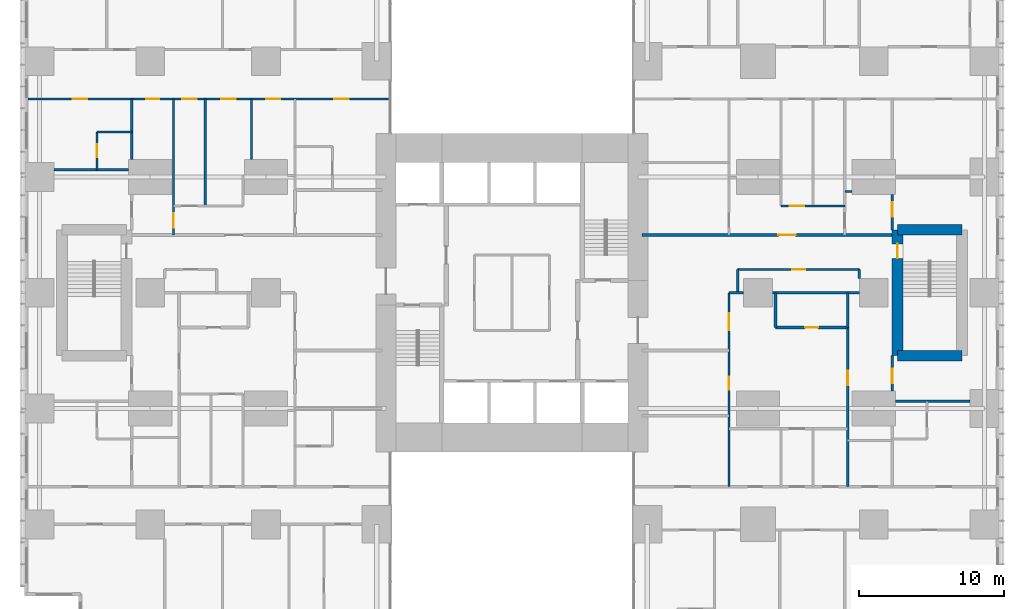
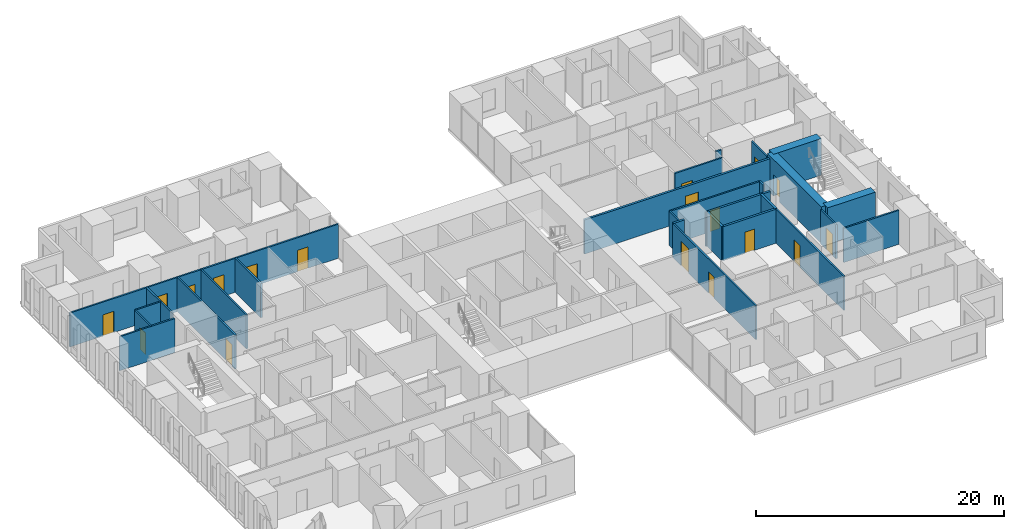
# One storey, part 16 of 20: 27 walls, 18 doors, 18 openings.
"""IFC4 building model written with IfcOpenShell, lengths in metres."""

from ifc_helpers import new_model, si_unit, direction, frame, frame_2d, origin, place, context, subcontext, project, spatial, rectangle, extrude, material, layer, layer_set, type_object, element, fill, save


model = new_model("IFC4")

# Units and contexts
model_context = context("Model", 3, precision=1e-05, world=origin(), true_north=direction((0.0, 1.0)))
body_context = subcontext(model_context, "Body", "Model", "MODEL_VIEW")
ifc_project = project(units=[si_unit("LENGTHUNIT", "METRE"), si_unit("AREAUNIT", "SQUARE_METRE"), si_unit("VOLUMEUNIT", "CUBIC_METRE"), si_unit("PLANEANGLEUNIT", "RADIAN"), si_unit("MASSUNIT", "GRAM", prefix="KILO")], contexts=[model_context])

# Site, building, storey
site_placement = place(None, origin())
site = spatial("IfcSite", under=ifc_project, at=site_placement, CompositionType="ELEMENT")
building_placement = place(site_placement, origin())
building = spatial("IfcBuilding", under=site, at=building_placement, Name="Cleftline Residences", CompositionType="ELEMENT")
storey_placement = place(building_placement, frame((0.0, 0.0, 36.800048828125)))
storey = spatial("IfcBuildingStorey", under=building, at=storey_placement, Name="L08", CompositionType="ELEMENT", Elevation=36.800048828125)

# Wall, opening, door
ifc_material_1 = material(Name="Concrete blockwork, fire rated", Category="masonry")
ifc_layer_1 = layer(ifc_material_1, 0.199951171875)
ifc_layer_set_1 = layer_set([ifc_layer_1], Name="FIRE WALL 200")
wall_type_1 = type_object("IfcWallType", Name="FIRE WALL 200", PredefinedType="PARTITIONING", material=ifc_layer_set_1)
wall_1_placement = place(storey_placement, frame((51.199951171875, 21.60009765625, 0.0), z_axis=(0.0, 0.0, 1.0), x_axis=(1.0, 0.0, 0.0)))
wall_1 = element("IfcWall", 1, at=wall_1_placement, inside=storey, type_object=wall_type_1, Name="Fire separating wall", PredefinedType="PARTITIONING", context=body_context, shape_type="SweptSolid", body=[
    extrude(rectangle(XDim=5.0, YDim=0.199951171875, at=frame_2d((2.5, 0.0))), origin(), (0.0, 0.0, 1.0), 3.349853515625),
])
opening_1_placement = place(wall_1_placement, frame((2.050048828125, 0.0, 0.0)))
opening_1 = element("IfcOpeningElement", 2, at=opening_1_placement, cuts=wall_1, Name="Opening D1F30", PredefinedType="OPENING", context=body_context, shape_type="SweptSolid", body=[
    extrude(rectangle(XDim=0.89990234375, YDim=2.10009765625, at=frame_2d((0.449951171875, 1.050048828125))), frame((0.0, 0.10986328125, 0.0), z_axis=(0.0, -1.0, 0.0), x_axis=(1.0, 0.0, 0.0)), (0.0, 0.0, 1.0), 0.219970703125),
])
ifc_material_2 = material(Name="Timber veneer on solid core", Category="wood")
door_type_1 = type_object("IfcDoorType", Name="DOOR 900X2100 EI 30", OperationType="SINGLE_SWING_LEFT", PredefinedType="DOOR", material=ifc_material_2)
door_1_placement = place(opening_1_placement, origin())
door_1 = element("IfcDoor", 3, at=door_1_placement, inside=storey, type_object=door_type_1, Name="Door to cloakroom wc", OperationType="SINGLE_SWING_LEFT", OverallHeight=2.10009765625, OverallWidth=0.89990234375, PredefinedType="DOOR", context=body_context, shape_type="SweptSolid", body=[
    extrude(rectangle(XDim=0.89990234375, YDim=2.10009765625, at=frame_2d((0.449951171875, 1.050048828125))), frame((0.0, 0.02490234375, 0.0), z_axis=(0.0, -1.0, 0.0), x_axis=(1.0, 0.0, 0.0)), (0.0, 0.0, 1.0), 0.050048828125),
])
fill(opening_1, door_1)

# Walls
wall_2_placement = place(storey_placement, frame((48.0, 24.0, 0.0), z_axis=(0.0, 0.0, 1.0), x_axis=(1.0, 0.0, 0.0)))
element("IfcWall", 4, at=wall_2_placement, inside=storey, type_object=wall_type_1, Name="Fire separating wall", PredefinedType="PARTITIONING", context=body_context, shape_type="SweptSolid", body=[
    extrude(rectangle(XDim=1.0, YDim=0.199951171875, at=frame_2d((0.5, 0.0))), origin(), (0.0, 0.0, 1.0), 3.349853515625),
])
wall_3_placement = place(storey_placement, frame((51.0, 24.0, 0.0), z_axis=(0.0, 0.0, 1.0), x_axis=(1.0, 0.0, 0.0)))
element("IfcWall", 5, at=wall_3_placement, inside=storey, type_object=wall_type_1, Name="Fire separating wall", PredefinedType="PARTITIONING", context=body_context, shape_type="SweptSolid", body=[
    extrude(rectangle(XDim=6.0, YDim=0.199951171875, at=frame_2d((3.0, 0.0))), origin(), (0.0, 0.0, 1.0), 3.349853515625),
])

# Wall, opening, door
wall_4_placement = place(storey_placement, frame((42.0, 28.0, 0.0), z_axis=(0.0, 0.0, 1.0), x_axis=(1.0, 0.0, 0.0)))
wall_4 = element("IfcWall", 6, at=wall_4_placement, inside=storey, type_object=wall_type_1, Name="Fire separating wall", PredefinedType="PARTITIONING", context=body_context, shape_type="SweptSolid", body=[
    extrude(rectangle(XDim=17.27490234375, YDim=0.199951171875, at=frame_2d((8.637451171875, 0.0))), origin(), (0.0, 0.0, 1.0), 3.349853515625),
])
opening_2_placement = place(wall_4_placement, frame((9.39990234375, 0.0, 0.0)))
opening_2 = element("IfcOpeningElement", 7, at=opening_2_placement, cuts=wall_4, Name="Opening D4", PredefinedType="OPENING", context=body_context, shape_type="SweptSolid", body=[
    extrude(rectangle(XDim=1.199951171875, YDim=2.39990234375, at=frame_2d((0.60009765625, 1.199951171875))), frame((0.0, 0.10986328125, 0.0), z_axis=(0.0, -1.0, 0.0), x_axis=(1.0, 0.0, 0.0)), (0.0, 0.0, 1.0), 0.219970703125),
])
ifc_material_3 = material(Name="Timber veneer on solid core", Category="wood")
door_type_2 = type_object("IfcDoorType", Name="APARTMENT ENTRANCE DOOR 1200X2400", OperationType="SINGLE_SWING_RIGHT", PredefinedType="DOOR", material=ifc_material_3)
door_2_placement = place(opening_2_placement, origin())
door_2 = element("IfcDoor", 8, at=door_2_placement, inside=storey, type_object=door_type_2, Name="Door to residence entrance foyer", OperationType="SINGLE_SWING_LEFT", OverallHeight=2.39990234375, OverallWidth=1.199951171875, PredefinedType="DOOR", context=body_context, shape_type="SweptSolid", body=[
    extrude(rectangle(XDim=1.199951171875, YDim=2.39990234375, at=frame_2d((0.60009765625, 1.199951171875))), frame((0.0, 0.02490234375, 0.0), z_axis=(0.0, -1.0, 0.0), x_axis=(1.0, 0.0, 0.0)), (0.0, 0.0, 1.0), 0.050048828125),
])
fill(opening_2, door_2)

# Walls
for number, where, z_axis, x_axis, name in (
    (9, (51.199951171875, 21.60009765625, 0.0), (0.0, 0.0, 1.0), (0.0, 1.0, 0.0), "Fire separating wall"),
    (10, (56.199951171875, 21.60009765625, 0.0), (0.0, 0.0, 1.0), (0.0, 1.0, 0.0), "Fire separating wall"),
):
    element("IfcWall", number, at=place(storey_placement, frame(where, z_axis=z_axis, x_axis=x_axis)), inside=storey, type_object=wall_type_1, Name=name, PredefinedType="PARTITIONING", context=body_context, shape_type="SweptSolid", body=[
        extrude(rectangle(XDim=2.39990234375, YDim=0.199951171875, at=frame_2d((1.199951171875, 0.0))), origin(), (0.0, 0.0, 1.0), 3.349853515625),
    ])
ifc_material_4 = material(Name="Gypsum board on steel studs", Category="steel")
ifc_layer_2 = layer(ifc_material_4, 0.14990234375)
ifc_layer_set_2 = layer_set([ifc_layer_2], Name="PARTITION 150")
wall_type_2 = type_object("IfcWallType", Name="PARTITION 150", PredefinedType="PARTITIONING", material=ifc_layer_set_2)
wall_5_placement = place(storey_placement, frame((59.5, 16.5, 0.0), z_axis=(0.0, 0.0, 1.0), x_axis=(1.0, 0.0, 0.0)))
element("IfcWall", 11, at=wall_5_placement, inside=storey, type_object=wall_type_2, Name="Partition", PredefinedType="PARTITIONING", context=body_context, shape_type="SweptSolid", body=[
    extrude(rectangle(XDim=5.14990234375, YDim=0.14990234375, at=frame_2d((2.574951171875, 0.0))), origin(), (0.0, 0.0, 1.0), 3.349853515625),
])

# Wall, opening, door
wall_6_placement = place(storey_placement, frame((48.60009765625, 25.60009765625, 0.0), z_axis=(0.0, 0.0, 1.0), x_axis=(1.0, 0.0, 0.0)))
wall_6 = element("IfcWall", 12, at=wall_6_placement, inside=storey, type_object=wall_type_2, Name="Partition", PredefinedType="PARTITIONING", context=body_context, shape_type="SweptSolid", body=[
    extrude(rectangle(XDim=8.39990234375, YDim=0.14990234375, at=frame_2d((4.199951171875, 0.0))), origin(), (0.0, 0.0, 1.0), 3.349853515625),
])
opening_3_placement = place(wall_6_placement, frame((3.75, 0.0, 0.0)))
opening_3 = element("IfcOpeningElement", 13, at=opening_3_placement, cuts=wall_6, Name="Opening D1", PredefinedType="OPENING", context=body_context, shape_type="SweptSolid", body=[
    extrude(rectangle(XDim=0.89990234375, YDim=2.10009765625, at=frame_2d((0.449951171875, 1.050048828125))), frame((0.0, 0.0849609375, 0.0), z_axis=(0.0, -1.0, 0.0), x_axis=(1.0, 0.0, 0.0)), (0.0, 0.0, 1.0), 0.169921875),
])
ifc_material_5 = material(Name="Timber veneer on solid core", Category="wood")
door_type_3 = type_object("IfcDoorType", Name="DOOR 900X2100", OperationType="SINGLE_SWING_LEFT", PredefinedType="DOOR", material=ifc_material_5)
door_3_placement = place(opening_3_placement, origin())
door_3 = element("IfcDoor", 14, at=door_3_placement, inside=storey, type_object=door_type_3, Name="Door to residents' locker room", OperationType="SINGLE_SWING_LEFT", OverallHeight=2.10009765625, OverallWidth=0.89990234375, PredefinedType="DOOR", context=body_context, shape_type="SweptSolid", body=[
    extrude(rectangle(XDim=0.89990234375, YDim=2.10009765625, at=frame_2d((0.449951171875, 1.050048828125))), frame((0.0, 0.02490234375, 0.0), z_axis=(0.0, -1.0, 0.0), x_axis=(1.0, 0.0, 0.0)), (0.0, 0.0, 1.0), 0.050048828125),
])
fill(opening_3, door_3)

wall_7_placement = place(storey_placement, frame((51.60009765625, 30.0, 0.0), z_axis=(0.0, 0.0, 1.0), x_axis=(1.0, 0.0, 0.0)))
wall_7 = element("IfcWall", 15, at=wall_7_placement, inside=storey, type_object=wall_type_2, Name="Partition", PredefinedType="PARTITIONING", context=body_context, shape_type="SweptSolid", body=[
    extrude(rectangle(XDim=4.39990234375, YDim=0.14990234375, at=frame_2d((2.199951171875, 0.0))), origin(), (0.0, 0.0, 1.0), 3.349853515625),
])
opening_4_placement = place(wall_7_placement, frame((0.60009765625, 0.0, 0.0)))
opening_4 = element("IfcOpeningElement", 16, at=opening_4_placement, cuts=wall_7, Name="Opening D2", PredefinedType="OPENING", context=body_context, shape_type="SweptSolid", body=[
    extrude(rectangle(XDim=1.0, YDim=2.10009765625, at=frame_2d((0.5, 1.050048828125))), frame((0.0, 0.0849609375, 0.0), z_axis=(0.0, -1.0, 0.0), x_axis=(1.0, 0.0, 0.0)), (0.0, 0.0, 1.0), 0.169921875),
])
ifc_material_6 = material(Name="Timber veneer on solid core", Category="wood")
door_type_4 = type_object("IfcDoorType", Name="DOOR 1000X2100", OperationType="SINGLE_SWING_LEFT", PredefinedType="DOOR", material=ifc_material_6)
door_4_placement = place(opening_4_placement, origin())
door_4 = element("IfcDoor", 17, at=door_4_placement, inside=storey, type_object=door_type_4, Name="Door to residence passage", OperationType="SINGLE_SWING_RIGHT", OverallHeight=2.10009765625, OverallWidth=1.0, PredefinedType="DOOR", context=body_context, shape_type="SweptSolid", body=[
    extrude(rectangle(XDim=1.0, YDim=2.10009765625, at=frame_2d((0.5, 1.050048828125))), frame((0.0, 0.02490234375, 0.0), z_axis=(0.0, -1.0, 0.0), x_axis=(1.0, 0.0, 0.0)), (0.0, 0.0, 1.0), 0.050048828125),
])
fill(opening_4, door_4)

# Walls
wall_8_placement = place(storey_placement, frame((56.0, 31.0, 0.0), z_axis=(0.0, 0.0, 1.0), x_axis=(1.0, 0.0, 0.0)))
element("IfcWall", 18, at=wall_8_placement, inside=storey, type_object=wall_type_2, Name="Partition", PredefinedType="PARTITIONING", context=body_context, shape_type="SweptSolid", body=[
    extrude(rectangle(XDim=0.5, YDim=0.14990234375, at=frame_2d((0.25, 0.0))), origin(), (0.0, 0.0, 1.0), 3.349853515625),
])
wall_9_placement = place(storey_placement, frame((1.35009765625, 32.5, 0.0), z_axis=(0.0, 0.0, 1.0), x_axis=(1.0, 0.0, 0.0)))
element("IfcWall", 19, at=wall_9_placement, inside=storey, type_object=wall_type_2, Name="Partition", PredefinedType="PARTITIONING", context=body_context, shape_type="SweptSolid", body=[
    extrude(rectangle(XDim=5.14990234375, YDim=0.14990234375, at=frame_2d((2.574951171875, 0.0))), origin(), (0.0, 0.0, 1.0), 3.349853515625),
])
wall_10_placement = place(storey_placement, frame((4.324951171875, 35.10009765625, 0.0), z_axis=(0.0, 0.0, 1.0), x_axis=(1.0, 0.0, 0.0)))
element("IfcWall", 20, at=wall_10_placement, inside=storey, type_object=wall_type_2, Name="Partition", PredefinedType="PARTITIONING", context=body_context, shape_type="SweptSolid", body=[
    extrude(rectangle(XDim=2.400146484375, YDim=0.14990234375, at=frame_2d((1.2001953125, 0.0))), origin(), (0.0, 0.0, 1.0), 3.349853515625),
])

# Wall, openings, doors
wall_11_placement = place(storey_placement, frame((-0.449951171875, 37.39990234375, 0.0), z_axis=(0.0, 0.0, 1.0), x_axis=(1.0, 0.0, 0.0)))
wall_11 = element("IfcWall", 21, at=wall_11_placement, inside=storey, type_object=wall_type_2, Name="Partition", PredefinedType="PARTITIONING", context=body_context, shape_type="SweptSolid", body=[
    extrude(rectangle(XDim=25.010986328125, YDim=0.14990234375, at=frame_2d((12.50537109375, 0.0))), origin(), (0.0, 0.0, 1.0), 3.349853515625),
])
opening_5_placement = place(wall_11_placement, frame((10.64990234375, 0.0, 0.0)))
opening_5 = element("IfcOpeningElement", 22, at=opening_5_placement, cuts=wall_11, Name="Opening D2", PredefinedType="OPENING", context=body_context, shape_type="SweptSolid", body=[
    extrude(rectangle(XDim=1.0, YDim=2.10009765625, at=frame_2d((0.5, 1.050048828125))), frame((0.0, 0.0849609375, 0.0), z_axis=(0.0, -1.0, 0.0), x_axis=(1.0, 0.0, 0.0)), (0.0, 0.0, 1.0), 0.169921875),
])
opening_6_placement = place(wall_11_placement, frame((3.08740234375, 0.0, 0.0)))
opening_6 = element("IfcOpeningElement", 23, at=opening_6_placement, cuts=wall_11, Name="Opening D2", PredefinedType="OPENING", context=body_context, shape_type="SweptSolid", body=[
    extrude(rectangle(XDim=1.0, YDim=2.10009765625, at=frame_2d((0.5, 1.050048828125))), frame((0.0, 0.0849609375, 0.0), z_axis=(0.0, -1.0, 0.0), x_axis=(1.0, 0.0, 0.0)), (0.0, 0.0, 1.0), 0.169921875),
])
opening_7_placement = place(wall_11_placement, frame((8.16259765625, 0.0, 0.0)))
opening_7 = element("IfcOpeningElement", 24, at=opening_7_placement, cuts=wall_11, Name="Opening D1", PredefinedType="OPENING", context=body_context, shape_type="SweptSolid", body=[
    extrude(rectangle(XDim=0.89990234375, YDim=2.10009765625, at=frame_2d((0.449951171875, 1.050048828125))), frame((0.0, 0.0849609375, 0.0), z_axis=(0.0, -1.0, 0.0), x_axis=(1.0, 0.0, 0.0)), (0.0, 0.0, 1.0), 0.169921875),
])
opening_8_placement = place(wall_11_placement, frame((13.35009765625, 0.0, 0.0)))
opening_8 = element("IfcOpeningElement", 25, at=opening_8_placement, cuts=wall_11, Name="Opening D2", PredefinedType="OPENING", context=body_context, shape_type="SweptSolid", body=[
    extrude(rectangle(XDim=1.0, YDim=2.10009765625, at=frame_2d((0.5, 1.050048828125))), frame((0.0, 0.0849609375, 0.0), z_axis=(0.0, -1.0, 0.0), x_axis=(1.0, 0.0, 0.0)), (0.0, 0.0, 1.0), 0.169921875),
])
opening_9_placement = place(wall_11_placement, frame((16.449951171875, 0.0, 0.0)))
opening_9 = element("IfcOpeningElement", 26, at=opening_9_placement, cuts=wall_11, Name="Opening D2", PredefinedType="OPENING", context=body_context, shape_type="SweptSolid", body=[
    extrude(rectangle(XDim=1.0, YDim=2.10009765625, at=frame_2d((0.5, 1.050048828125))), frame((0.0, 0.0849609375, 0.0), z_axis=(0.0, -1.0, 0.0), x_axis=(1.0, 0.0, 0.0)), (0.0, 0.0, 1.0), 0.169921875),
])
opening_10_placement = place(wall_11_placement, frame((21.175048828125, 0.0, 0.0)))
opening_10 = element("IfcOpeningElement", 27, at=opening_10_placement, cuts=wall_11, Name="Opening D2", PredefinedType="OPENING", context=body_context, shape_type="SweptSolid", body=[
    extrude(rectangle(XDim=1.0, YDim=2.10009765625, at=frame_2d((0.5, 1.050048828125))), frame((0.0, 0.0849609375, 0.0), z_axis=(0.0, -1.0, 0.0), x_axis=(1.0, 0.0, 0.0)), (0.0, 0.0, 1.0), 0.169921875),
])
door_5_placement = place(opening_5_placement, origin())
door_5 = element("IfcDoor", 28, at=door_5_placement, inside=storey, type_object=door_type_4, Name="Door to residence hall", OperationType="SINGLE_SWING_RIGHT", OverallHeight=2.10009765625, OverallWidth=1.0, PredefinedType="DOOR", context=body_context, shape_type="SweptSolid", body=[
    extrude(rectangle(XDim=1.0, YDim=2.10009765625, at=frame_2d((0.5, 1.050048828125))), frame((0.0, 0.02490234375, 0.0), z_axis=(0.0, -1.0, 0.0), x_axis=(1.0, 0.0, 0.0)), (0.0, 0.0, 1.0), 0.050048828125),
])
fill(opening_5, door_5)
door_6_placement = place(opening_6_placement, origin())
door_6 = element("IfcDoor", 29, at=door_6_placement, inside=storey, type_object=door_type_4, Name="Door to bedroom 2", OperationType="SINGLE_SWING_RIGHT", OverallHeight=2.10009765625, OverallWidth=1.0, PredefinedType="DOOR", context=body_context, shape_type="SweptSolid", body=[
    extrude(rectangle(XDim=1.0, YDim=2.10009765625, at=frame_2d((0.5, 1.050048828125))), frame((0.0, 0.02490234375, 0.0), z_axis=(0.0, -1.0, 0.0), x_axis=(1.0, 0.0, 0.0)), (0.0, 0.0, 1.0), 0.050048828125),
])
fill(opening_6, door_6)
door_7_placement = place(opening_8_placement, origin())
door_7 = element("IfcDoor", 30, at=door_7_placement, inside=storey, type_object=door_type_4, Name="Door to family room", OperationType="SINGLE_SWING_LEFT", OverallHeight=2.10009765625, OverallWidth=1.0, PredefinedType="DOOR", context=body_context, shape_type="SweptSolid", body=[
    extrude(rectangle(XDim=1.0, YDim=2.10009765625, at=frame_2d((0.5, 1.050048828125))), frame((0.0, 0.02490234375, 0.0), z_axis=(0.0, -1.0, 0.0), x_axis=(1.0, 0.0, 0.0)), (0.0, 0.0, 1.0), 0.050048828125),
])
fill(opening_8, door_7)
door_8_placement = place(opening_9_placement, origin())
door_8 = element("IfcDoor", 31, at=door_8_placement, inside=storey, type_object=door_type_4, Name="Door to wet kitchen", OperationType="SINGLE_SWING_LEFT", OverallHeight=2.10009765625, OverallWidth=1.0, PredefinedType="DOOR", context=body_context, shape_type="SweptSolid", body=[
    extrude(rectangle(XDim=1.0, YDim=2.10009765625, at=frame_2d((0.5, 1.050048828125))), frame((0.0, 0.02490234375, 0.0), z_axis=(0.0, -1.0, 0.0), x_axis=(1.0, 0.0, 0.0)), (0.0, 0.0, 1.0), 0.050048828125),
])
fill(opening_9, door_8)
door_9_placement = place(opening_10_placement, origin())
door_9 = element("IfcDoor", 32, at=door_9_placement, inside=storey, type_object=door_type_4, Name="Door to bedroom 3", OperationType="SINGLE_SWING_LEFT", OverallHeight=2.10009765625, OverallWidth=1.0, PredefinedType="DOOR", context=body_context, shape_type="SweptSolid", body=[
    extrude(rectangle(XDim=1.0, YDim=2.10009765625, at=frame_2d((0.5, 1.050048828125))), frame((0.0, 0.02490234375, 0.0), z_axis=(0.0, -1.0, 0.0), x_axis=(1.0, 0.0, 0.0)), (0.0, 0.0, 1.0), 0.050048828125),
])
fill(opening_10, door_9)
door_10_placement = place(opening_7_placement, origin())
door_10 = element("IfcDoor", 33, at=door_10_placement, inside=storey, type_object=door_type_3, Name="Door to linen store", OperationType="SINGLE_SWING_RIGHT", OverallHeight=2.10009765625, OverallWidth=0.89990234375, PredefinedType="DOOR", context=body_context, shape_type="SweptSolid", body=[
    extrude(rectangle(XDim=0.89990234375, YDim=2.10009765625, at=frame_2d((0.449951171875, 1.050048828125))), frame((0.0, 0.02490234375, 0.0), z_axis=(0.0, -1.0, 0.0), x_axis=(1.0, 0.0, 0.0)), (0.0, 0.0, 1.0), 0.050048828125),
])
fill(opening_7, door_10)

# Wall, opening, door
wall_12_placement = place(storey_placement, frame((4.324951171875, 32.5, 0.0), z_axis=(0.0, 0.0, 1.0), x_axis=(0.0, 1.0, 0.0)))
wall_12 = element("IfcWall", 34, at=wall_12_placement, inside=storey, type_object=wall_type_2, Name="Partition", PredefinedType="PARTITIONING", context=body_context, shape_type="SweptSolid", body=[
    extrude(rectangle(XDim=2.60009765625, YDim=0.14990234375, at=frame_2d((1.300048828125, 0.0))), origin(), (0.0, 0.0, 1.0), 3.349853515625),
])
opening_11_placement = place(wall_12_placement, frame((0.85009765625, 0.0, 0.0)))
opening_11 = element("IfcOpeningElement", 35, at=opening_11_placement, cuts=wall_12, Name="Opening D1", PredefinedType="OPENING", context=body_context, shape_type="SweptSolid", body=[
    extrude(rectangle(XDim=0.89990234375, YDim=2.10009765625, at=frame_2d((0.449951171875, 1.050048828125))), frame((0.0, 0.0849609375, 0.0), z_axis=(0.0, -1.0, 0.0), x_axis=(1.0, 0.0, 0.0)), (0.0, 0.0, 1.0), 0.169921875),
])
door_11_placement = place(opening_11_placement, origin())
door_11 = element("IfcDoor", 36, at=door_11_placement, inside=storey, type_object=door_type_3, Name="Door to en-suite bathroom 2", OperationType="SINGLE_SWING_LEFT", OverallHeight=2.10009765625, OverallWidth=0.89990234375, PredefinedType="DOOR", context=body_context, shape_type="SweptSolid", body=[
    extrude(rectangle(XDim=0.89990234375, YDim=2.10009765625, at=frame_2d((0.449951171875, 1.050048828125))), frame((0.0, 0.02490234375, 0.0), z_axis=(0.0, -1.0, 0.0), x_axis=(1.0, 0.0, 0.0)), (0.0, 0.0, 1.0), 0.050048828125),
])
fill(opening_11, door_11)

# Wall
wall_13_placement = place(storey_placement, frame((6.72509765625, 33.199951171875, 0.0), z_axis=(0.0, 0.0, 1.0), x_axis=(0.0, 1.0, 0.0)))
element("IfcWall", 37, at=wall_13_placement, inside=storey, type_object=wall_type_2, Name="Partition", PredefinedType="PARTITIONING", context=body_context, shape_type="SweptSolid", body=[
    extrude(rectangle(XDim=4.199951171875, YDim=0.14990234375, at=frame_2d((2.10009765625, 0.0))), origin(), (0.0, 0.0, 1.0), 3.349853515625),
])

# Wall, opening, door
wall_14_placement = place(storey_placement, frame((9.60009765625, 28.0, 0.0), z_axis=(0.0, 0.0, 1.0), x_axis=(0.0, 1.0, 0.0)))
wall_14 = element("IfcWall", 38, at=wall_14_placement, inside=storey, type_object=wall_type_2, Name="Partition", PredefinedType="PARTITIONING", context=body_context, shape_type="SweptSolid", body=[
    extrude(rectangle(XDim=9.39990234375, YDim=0.14990234375, at=frame_2d((4.699951171875, 0.0))), origin(), (0.0, 0.0, 1.0), 3.349853515625),
])
opening_12_placement = place(wall_14_placement, frame((0.5, 0.0, 0.0)))
opening_12 = element("IfcOpeningElement", 39, at=opening_12_placement, cuts=wall_14, Name="Opening D2F30", PredefinedType="OPENING", context=body_context, shape_type="SweptSolid", body=[
    extrude(rectangle(XDim=1.0, YDim=2.10009765625, at=frame_2d((0.5, 1.050048828125))), frame((0.0, 0.0849609375, 0.0), z_axis=(0.0, -1.0, 0.0), x_axis=(1.0, 0.0, 0.0)), (0.0, 0.0, 1.0), 0.169921875),
])
ifc_material_7 = material(Name="Timber veneer on solid core", Category="wood")
door_type_5 = type_object("IfcDoorType", Name="DOOR 1000X2100 EI 30", OperationType="SINGLE_SWING_LEFT", PredefinedType="DOOR", material=ifc_material_7)
door_12_placement = place(opening_12_placement, origin())
door_12 = element("IfcDoor", 40, at=door_12_placement, inside=storey, type_object=door_type_5, Name="Door to residence lobby (service)", OperationType="SINGLE_SWING_RIGHT", OverallHeight=2.10009765625, OverallWidth=1.0, PredefinedType="DOOR", context=body_context, shape_type="SweptSolid", body=[
    extrude(rectangle(XDim=1.0, YDim=2.10009765625, at=frame_2d((0.5, 1.050048828125))), frame((0.0, 0.02490234375, 0.0), z_axis=(0.0, -1.0, 0.0), x_axis=(1.0, 0.0, 0.0)), (0.0, 0.0, 1.0), 0.050048828125),
])
fill(opening_12, door_12)

# Walls
wall_15_placement = place(storey_placement, frame((11.800048828125, 30.0, 0.0), z_axis=(0.0, 0.0, 1.0), x_axis=(0.0, 1.0, 0.0)))
element("IfcWall", 41, at=wall_15_placement, inside=storey, type_object=wall_type_2, Name="Partition", PredefinedType="PARTITIONING", context=body_context, shape_type="SweptSolid", body=[
    extrude(rectangle(XDim=7.39990234375, YDim=0.14990234375, at=frame_2d((3.699951171875, 0.0))), origin(), (0.0, 0.0, 1.0), 3.349853515625),
])
wall_16_placement = place(storey_placement, frame((15.0, 33.199951171875, 0.0), z_axis=(0.0, 0.0, 1.0), x_axis=(0.0, 1.0, 0.0)))
element("IfcWall", 42, at=wall_16_placement, inside=storey, type_object=wall_type_2, Name="Partition", PredefinedType="PARTITIONING", context=body_context, shape_type="SweptSolid", body=[
    extrude(rectangle(XDim=4.199951171875, YDim=0.14990234375, at=frame_2d((2.10009765625, 0.0))), origin(), (0.0, 0.0, 1.0), 3.349853515625),
])

# Wall, openings, doors
wall_17_placement = place(storey_placement, frame((48.0, 10.60009765625, 0.0), z_axis=(0.0, 0.0, 1.0), x_axis=(0.0, 1.0, 0.0)))
wall_17 = element("IfcWall", 43, at=wall_17_placement, inside=storey, type_object=wall_type_2, Name="Partition", PredefinedType="PARTITIONING", context=body_context, shape_type="SweptSolid", body=[
    extrude(rectangle(XDim=13.39990234375, YDim=0.14990234375, at=frame_2d((6.699951171875, 0.0))), origin(), (0.0, 0.0, 1.0), 3.349853515625),
])
opening_13_placement = place(wall_17_placement, frame((10.800048828125, 0.0, 0.0)))
opening_13 = element("IfcOpeningElement", 44, at=opening_13_placement, cuts=wall_17, Name="Opening D4", PredefinedType="OPENING", context=body_context, shape_type="SweptSolid", body=[
    extrude(rectangle(XDim=1.199951171875, YDim=2.39990234375, at=frame_2d((0.60009765625, 1.199951171875))), frame((0.0, 0.0849609375, 0.0), z_axis=(0.0, -1.0, 0.0), x_axis=(1.0, 0.0, 0.0)), (0.0, 0.0, 1.0), 0.169921875),
])
opening_14_placement = place(wall_17_placement, frame((6.699951171875, 0.0, 0.0)))
opening_14 = element("IfcOpeningElement", 45, at=opening_14_placement, cuts=wall_17, Name="Opening D1F60", PredefinedType="OPENING", context=body_context, shape_type="SweptSolid", body=[
    extrude(rectangle(XDim=0.89990234375, YDim=2.10009765625, at=frame_2d((0.449951171875, 1.050048828125))), frame((0.0, 0.0849609375, 0.0), z_axis=(0.0, -1.0, 0.0), x_axis=(1.0, 0.0, 0.0)), (0.0, 0.0, 1.0), 0.169921875),
])
door_13_placement = place(opening_13_placement, origin())
door_13 = element("IfcDoor", 46, at=door_13_placement, inside=storey, type_object=door_type_2, Name="Door to residence entrance foyer", OperationType="SINGLE_SWING_LEFT", OverallHeight=2.39990234375, OverallWidth=1.199951171875, PredefinedType="DOOR", context=body_context, shape_type="SweptSolid", body=[
    extrude(rectangle(XDim=1.199951171875, YDim=2.39990234375, at=frame_2d((0.60009765625, 1.199951171875))), frame((0.0, 0.02490234375, 0.0), z_axis=(0.0, -1.0, 0.0), x_axis=(1.0, 0.0, 0.0)), (0.0, 0.0, 1.0), 0.050048828125),
])
fill(opening_13, door_13)
ifc_material_8 = material(Name="Timber veneer on solid core", Category="wood")
door_type_6 = type_object("IfcDoorType", Name="DOOR 900X2100 EI 60", OperationType="SINGLE_SWING_LEFT", PredefinedType="DOOR", material=ifc_material_8)
door_14_placement = place(opening_14_placement, origin())
door_14 = element("IfcDoor", 47, at=door_14_placement, inside=storey, type_object=door_type_6, Name="Door to utility room", OperationType="SINGLE_SWING_LEFT", OverallHeight=2.10009765625, OverallWidth=0.89990234375, PredefinedType="DOOR", context=body_context, shape_type="SweptSolid", body=[
    extrude(rectangle(XDim=0.89990234375, YDim=2.10009765625, at=frame_2d((0.449951171875, 1.050048828125))), frame((0.0, 0.02490234375, 0.0), z_axis=(0.0, -1.0, 0.0), x_axis=(1.0, 0.0, 0.0)), (0.0, 0.0, 1.0), 0.050048828125),
])
fill(opening_14, door_14)

# Wall
wall_18_placement = place(storey_placement, frame((48.60009765625, 24.0, 0.0), z_axis=(0.0, 0.0, 1.0), x_axis=(0.0, 1.0, 0.0)))
element("IfcWall", 48, at=wall_18_placement, inside=storey, type_object=wall_type_2, Name="Partition", PredefinedType="PARTITIONING", context=body_context, shape_type="SweptSolid", body=[
    extrude(rectangle(XDim=1.60009765625, YDim=0.14990234375, at=frame_2d((0.800048828125, 0.0))), origin(), (0.0, 0.0, 1.0), 3.349853515625),
])

# Wall, opening, door
wall_19_placement = place(storey_placement, frame((56.199951171875, 10.60009765625, 0.0), z_axis=(0.0, 0.0, 1.0), x_axis=(0.0, 1.0, 0.0)))
wall_19 = element("IfcWall", 49, at=wall_19_placement, inside=storey, type_object=wall_type_2, Name="Partition", PredefinedType="PARTITIONING", context=body_context, shape_type="SweptSolid", body=[
    extrude(rectangle(XDim=11.0, YDim=0.14990234375, at=frame_2d((5.5, 0.0))), origin(), (0.0, 0.0, 1.0), 3.349853515625),
])
opening_15_placement = place(wall_19_placement, frame((7.0, 0.0, 0.0)))
opening_15 = element("IfcOpeningElement", 50, at=opening_15_placement, cuts=wall_19, Name="Opening D2F30", PredefinedType="OPENING", context=body_context, shape_type="SweptSolid", body=[
    extrude(rectangle(XDim=1.0, YDim=2.10009765625, at=frame_2d((0.5, 1.050048828125))), frame((0.0, 0.0849609375, 0.0), z_axis=(0.0, -1.0, 0.0), x_axis=(1.0, 0.0, 0.0)), (0.0, 0.0, 1.0), 0.169921875),
])
door_15_placement = place(opening_15_placement, origin())
door_15 = element("IfcDoor", 51, at=door_15_placement, inside=storey, type_object=door_type_5, Name="Door to residence lobby", OperationType="SINGLE_SWING_LEFT", OverallHeight=2.10009765625, OverallWidth=1.0, PredefinedType="DOOR", context=body_context, shape_type="SweptSolid", body=[
    extrude(rectangle(XDim=1.0, YDim=2.10009765625, at=frame_2d((0.5, 1.050048828125))), frame((0.0, 0.02490234375, 0.0), z_axis=(0.0, -1.0, 0.0), x_axis=(1.0, 0.0, 0.0)), (0.0, 0.0, 1.0), 0.050048828125),
])
fill(opening_15, door_15)

# Wall
wall_20_placement = place(storey_placement, frame((57.0, 25.0, 0.0), z_axis=(0.0, 0.0, 1.0), x_axis=(0.0, 1.0, 0.0)))
element("IfcWall", 52, at=wall_20_placement, inside=storey, type_object=wall_type_2, Name="Partition", PredefinedType="PARTITIONING", context=body_context, shape_type="SweptSolid", body=[
    extrude(rectangle(XDim=0.60009765625, YDim=0.14990234375, at=frame_2d((0.300048828125, 0.0))), origin(), (0.0, 0.0, 1.0), 3.349853515625),
])

# Wall, opening, door
wall_21_placement = place(storey_placement, frame((59.27490234375, 17.199951171875, 0.0), z_axis=(0.0, 0.0, 1.0), x_axis=(0.0, 1.0, 0.0)))
wall_21 = element("IfcWall", 53, at=wall_21_placement, inside=storey, type_object=wall_type_2, Name="Partition", PredefinedType="PARTITIONING", context=body_context, shape_type="SweptSolid", body=[
    extrude(rectangle(XDim=2.449951171875, YDim=0.14990234375, at=frame_2d((1.22509765625, 0.0))), origin(), (0.0, 0.0, 1.0), 3.349853515625),
])
opening_16_placement = place(wall_21_placement, frame((0.53759765625, 0.0, 0.0)))
opening_16 = element("IfcOpeningElement", 54, at=opening_16_placement, cuts=wall_21, Name="Opening D2", PredefinedType="OPENING", context=body_context, shape_type="SweptSolid", body=[
    extrude(rectangle(XDim=1.0, YDim=2.10009765625, at=frame_2d((0.5, 1.050048828125))), frame((0.0, 0.0849609375, 0.0), z_axis=(0.0, -1.0, 0.0), x_axis=(1.0, 0.0, 0.0)), (0.0, 0.0, 1.0), 0.169921875),
])
door_16_placement = place(opening_16_placement, origin())
door_16 = element("IfcDoor", 55, at=door_16_placement, inside=storey, type_object=door_type_4, Name="Door to bedroom 2", OperationType="SINGLE_SWING_RIGHT", OverallHeight=2.10009765625, OverallWidth=1.0, PredefinedType="DOOR", context=body_context, shape_type="SweptSolid", body=[
    extrude(rectangle(XDim=1.0, YDim=2.10009765625, at=frame_2d((0.5, 1.050048828125))), frame((0.0, 0.02490234375, 0.0), z_axis=(0.0, -1.0, 0.0), x_axis=(1.0, 0.0, 0.0)), (0.0, 0.0, 1.0), 0.050048828125),
])
fill(opening_16, door_16)

wall_22_placement = place(storey_placement, frame((59.27490234375, 28.35009765625, 0.0), z_axis=(0.0, 0.0, 1.0), x_axis=(0.0, 1.0, 0.0)))
wall_22 = element("IfcWall", 56, at=wall_22_placement, inside=storey, type_object=wall_type_2, Name="Partition", PredefinedType="PARTITIONING", context=body_context, shape_type="SweptSolid", body=[
    extrude(rectangle(XDim=2.449951171875, YDim=0.14990234375, at=frame_2d((1.22509765625, 0.0))), origin(), (0.0, 0.0, 1.0), 3.349853515625),
])
opening_17_placement = place(wall_22_placement, frame((0.91259765625, 0.0, 0.0)))
opening_17 = element("IfcOpeningElement", 57, at=opening_17_placement, cuts=wall_22, Name="Opening D2", PredefinedType="OPENING", context=body_context, shape_type="SweptSolid", body=[
    extrude(rectangle(XDim=1.0, YDim=2.10009765625, at=frame_2d((0.5, 1.050048828125))), frame((0.0, 0.0849609375, 0.0), z_axis=(0.0, -1.0, 0.0), x_axis=(1.0, 0.0, 0.0)), (0.0, 0.0, 1.0), 0.169921875),
])
door_17_placement = place(opening_17_placement, origin())
door_17 = element("IfcDoor", 58, at=door_17_placement, inside=storey, type_object=door_type_4, Name="Door to sea-view dining room", OperationType="SINGLE_SWING_LEFT", OverallHeight=2.10009765625, OverallWidth=1.0, PredefinedType="DOOR", context=body_context, shape_type="SweptSolid", body=[
    extrude(rectangle(XDim=1.0, YDim=2.10009765625, at=frame_2d((0.5, 1.050048828125))), frame((0.0, 0.02490234375, 0.0), z_axis=(0.0, -1.0, 0.0), x_axis=(1.0, 0.0, 0.0)), (0.0, 0.0, 1.0), 0.050048828125),
])
fill(opening_17, door_17)

# Walls
ifc_material_9 = material(Name="Concrete B70", Category="concrete")
ifc_layer_3 = layer(ifc_material_9, 0.75)
ifc_layer_set_3 = layer_set([ifc_layer_3], Name="SHEAR WALL 750")
wall_type_3 = type_object("IfcWallType", Name="SHEAR WALL 750", PredefinedType="SHEAR", material=ifc_layer_set_3)
for number, where, z_axis, x_axis, name in (
    (59, (59.64990234375, 19.64990234375, 0.0), (0.0, 0.0, 1.0), (1.0, 0.0, 0.0), "Wing shear wall"),
    (60, (64.10009765625, 28.35009765625, 0.0), (0.0, 0.0, 1.0), (-1.0, 0.0, 0.0), "Wing shear wall"),
):
    element("IfcWall", number, at=place(storey_placement, frame(where, z_axis=z_axis, x_axis=x_axis)), inside=storey, type_object=wall_type_3, Name=name, PredefinedType="SHEAR", context=body_context, shape_type="SweptSolid", body=[
        extrude(rectangle(XDim=4.4501953125, YDim=0.75, at=frame_2d((2.22509765625, 0.0))), origin(), (0.0, 0.0, 1.0), 3.599853515625),
    ])

# Wall, opening, door
wall_23_placement = place(storey_placement, frame((59.64990234375, 28.35009765625, 0.0), z_axis=(0.0, 0.0, 1.0), x_axis=(0.0, -1.0, 0.0)))
wall_23 = element("IfcWall", 61, at=wall_23_placement, inside=storey, type_object=wall_type_3, Name="Wing shear wall", PredefinedType="SHEAR", context=body_context, shape_type="SweptSolid", body=[
    extrude(rectangle(XDim=8.7001953125, YDim=0.75, at=frame_2d((4.35009765625, 0.0))), origin(), (0.0, 0.0, 1.0), 3.599853515625),
])
opening_18_placement = place(wall_23_placement, frame((0.97509765625, 0.0, 0.0)))
opening_18 = element("IfcOpeningElement", 62, at=opening_18_placement, cuts=wall_23, Name="Opening D5", PredefinedType="OPENING", context=body_context, shape_type="SweptSolid", body=[
    extrude(rectangle(XDim=1.0, YDim=2.10009765625, at=frame_2d((0.5, 1.050048828125))), frame((0.0, 0.385009765625, 0.0), z_axis=(0.0, -1.0, 0.0), x_axis=(1.0, 0.0, 0.0)), (0.0, 0.0, 1.0), 0.77001953125),
])
ifc_material_10 = material(Name="Steel", Category="steel")
door_type_7 = type_object("IfcDoorType", Name="STAIR DOOR 1000X2100", OperationType="SINGLE_SWING_LEFT", PredefinedType="DOOR", material=ifc_material_10)
door_18_placement = place(opening_18_placement, origin())
door_18 = element("IfcDoor", 63, at=door_18_placement, inside=storey, type_object=door_type_7, Name="Stair E door", OperationType="SINGLE_SWING_RIGHT", OverallHeight=2.10009765625, OverallWidth=1.0, PredefinedType="DOOR", context=body_context, shape_type="SweptSolid", body=[
    extrude(rectangle(XDim=1.0, YDim=2.10009765625, at=frame_2d((0.5, 1.050048828125))), frame((0.0, 0.02490234375, 0.0), z_axis=(0.0, -1.0, 0.0), x_axis=(1.0, 0.0, 0.0)), (0.0, 0.0, 1.0), 0.050048828125),
])
fill(opening_18, door_18)

save(model, "model.ifc")
